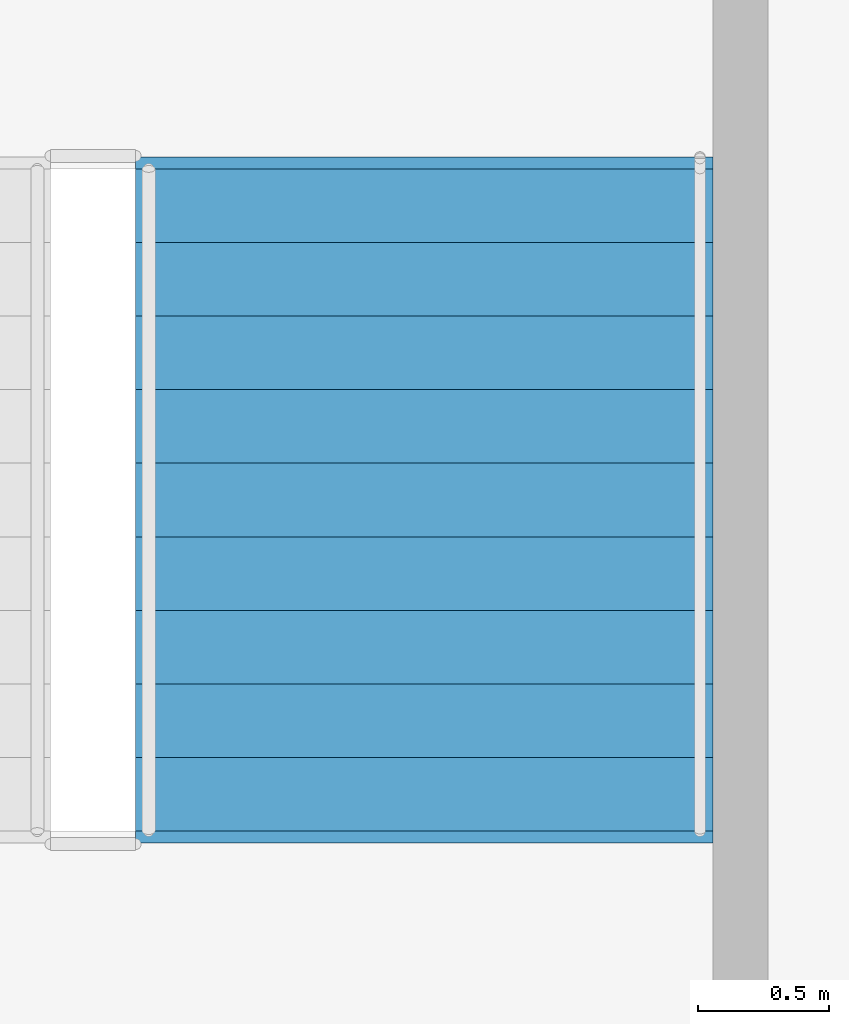
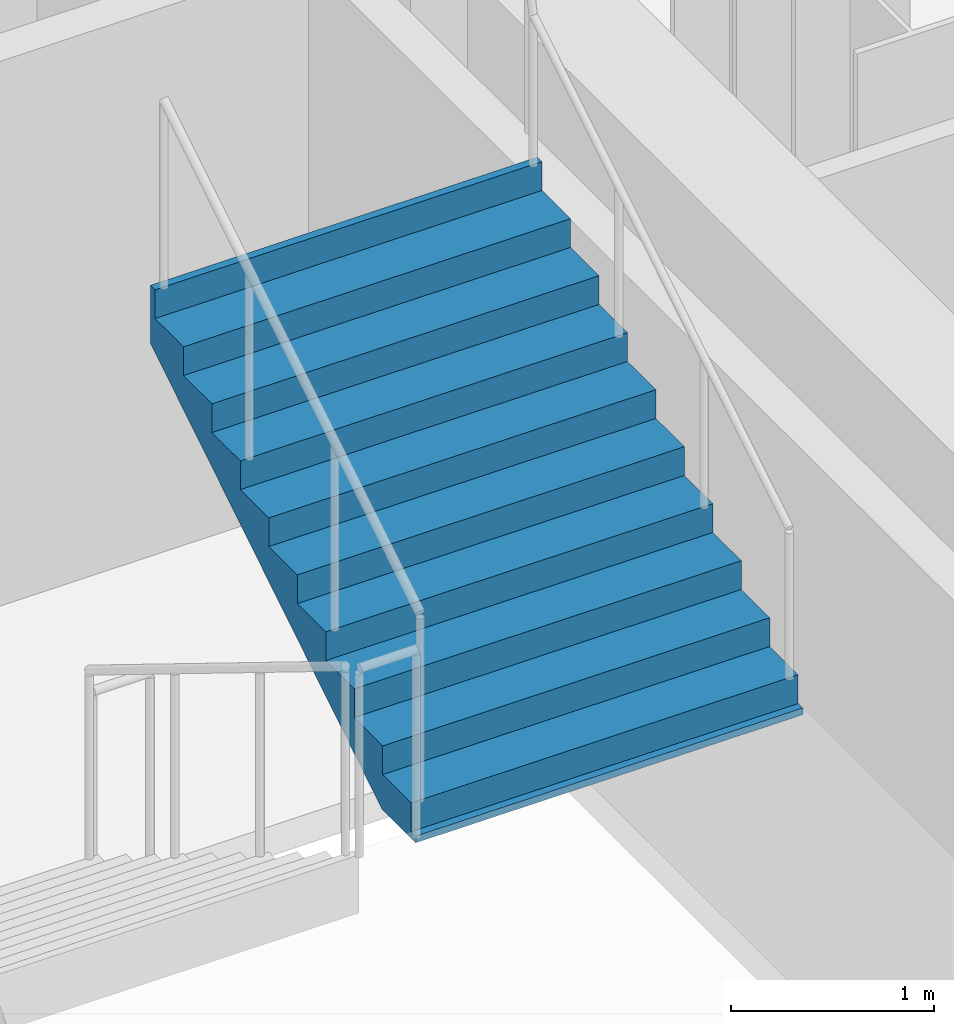
# One storey, part 8 of 10: 1 stair flight, 1 element without a shape of its own.
"""IFC4 building model written with IfcOpenShell, lengths in metres."""

from ifc_helpers import new_model, si_unit, direction, frame, origin, place, context, subcontext, project, spatial, polyline, outline, extrude, material, layer, layer_set, type_object, element, aggregate, save


model = new_model("IFC4")

# Units and contexts
model_context = context("Model", 3, precision=1e-05, world=origin(), true_north=direction((0.0, 1.0)))
body_context = subcontext(model_context, "Body", "Model", "MODEL_VIEW")
ifc_project = project(units=[si_unit("LENGTHUNIT", "METRE"), si_unit("AREAUNIT", "SQUARE_METRE"), si_unit("VOLUMEUNIT", "CUBIC_METRE"), si_unit("PLANEANGLEUNIT", "RADIAN"), si_unit("MASSUNIT", "GRAM", prefix="KILO")], contexts=[model_context])

# Site, building, storey
site_placement = place(None, origin())
site = spatial("IfcSite", under=ifc_project, at=site_placement, CompositionType="ELEMENT")
building_placement = place(site_placement, origin())
building = spatial("IfcBuilding", under=site, at=building_placement, Name="Velakula Bourse", CompositionType="ELEMENT")
storey_placement = place(building_placement, frame((0.0, 0.0, 127.75)))
storey = spatial("IfcBuildingStorey", under=building, at=storey_placement, Name="L34", CompositionType="ELEMENT", Elevation=127.75)

# Stair, stair flight
ifc_material = material(Name="Concrete M45 (fck 45 MPa)", Category="concrete")
stair_type = type_object("IfcStairType", Name="STR-DOG-390", PredefinedType="HALF_TURN_STAIR", material=ifc_material)
stair_placement = place(storey_placement, origin())
stair = element("IfcStair", 1, at=stair_placement, inside=storey, type_object=stair_type, Name="L34 East Core Exit Stair ST-E1", PredefinedType="HALF_TURN_STAIR")
ifc_layer = layer(ifc_material, 0.195068359375, Name="Concrete M45 (fck 45 MPa)", Category="concrete")
ifc_layer_set = layer_set([ifc_layer], Name="Concrete M45 (fck 45 MPa)")
stair_flight_type = type_object("IfcStairFlightType", Name="FLT-DOG-390", PredefinedType="STRAIGHT", material=ifc_layer_set)
stair_flight_placement = place(storey_placement, frame((16.720947265625, -4.719970703125, 1.72509765625), z_axis=(0.0, 0.0, 1.0), x_axis=(0.0, 1.0, 0.0)))
stair_flight = element("IfcStairFlight", 2, at=stair_flight_placement, type_object=stair_flight_type, Name="ST-E1 flight 2", NumberOfRisers=10, NumberOfTreads=9, PredefinedType="STRAIGHT", RiserHeight=0.1725, TreadLength=0.28, context=body_context, shape_type="SweptSolid", body=[
    extrude(outline(polyline([(-0.044921875, -0.0400390625), (-0.044921875, -0.036865234375), (-0.044921875, -0.033935546875), (-0.044921875, -0.03076171875), (-0.044921875, -0.027587890625), (-0.044921875, -0.024658203125), (-0.044921875, -0.021484375), (-0.044921875, -0.0185546875), (-0.044921875, -0.015380859375), (-0.044921875, -0.01220703125), (-0.044921875, -0.00927734375), (-0.044921875, -0.006103515625), (-0.044921875, -0.003173828125), (-0.044921875, 0.0), (0.0, 0.0), (0.0, 0.172607421875), (0.280029296875, 0.172607421875), (0.280029296875, 0.344970703125), (0.56005859375, 0.344970703125), (0.56005859375, 0.517578125), (0.840087890625, 0.517578125), (0.840087890625, 0.68994140625), (1.1201171875, 0.68994140625), (1.1201171875, 0.862548828125), (1.39990234375, 0.862548828125), (1.39990234375, 1.034912109375), (1.679931640625, 1.034912109375), (1.679931640625, 1.20751953125), (1.9599609375, 1.20751953125), (1.9599609375, 1.3798828125), (2.239990234375, 1.3798828125), (2.239990234375, 1.552490234375), (2.52001953125, 1.552490234375), (2.52001953125, 1.72509765625), (2.56494140625, 1.72509765625), (2.56494140625, 1.7001953125), (2.56494140625, 1.67529296875), (2.56494140625, 1.650390625), (2.56494140625, 1.62548828125), (2.56494140625, 1.6005859375), (2.56494140625, 1.57568359375), (2.56494140625, 1.55078125), (2.56494140625, 1.52587890625), (2.56494140625, 1.5009765625), (2.56494140625, 1.47607421875), (2.56494140625, 1.451171875), (2.56494140625, 1.42626953125), (2.56494140625, 1.4013671875), (2.56494140625, 1.37646484375), (0.285888671875, -0.0400390625), (-0.044921875, -0.0400390625)])), frame((0.0, 1.09912109375, 0.0), z_axis=(0.0, -1.0, 0.0), x_axis=(1.0, 0.0, 0.0)), (0.0, 0.0, 1.0), 2.197998046875),
])
aggregate(stair, [stair_flight])

save(model, "model.ifc")
